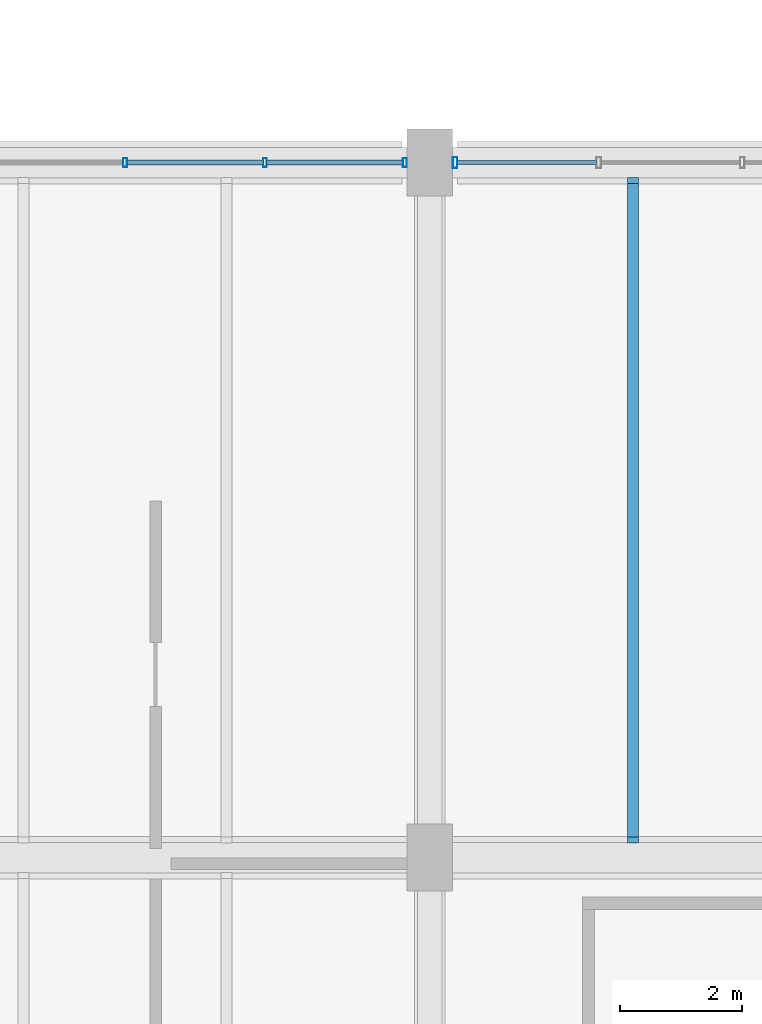
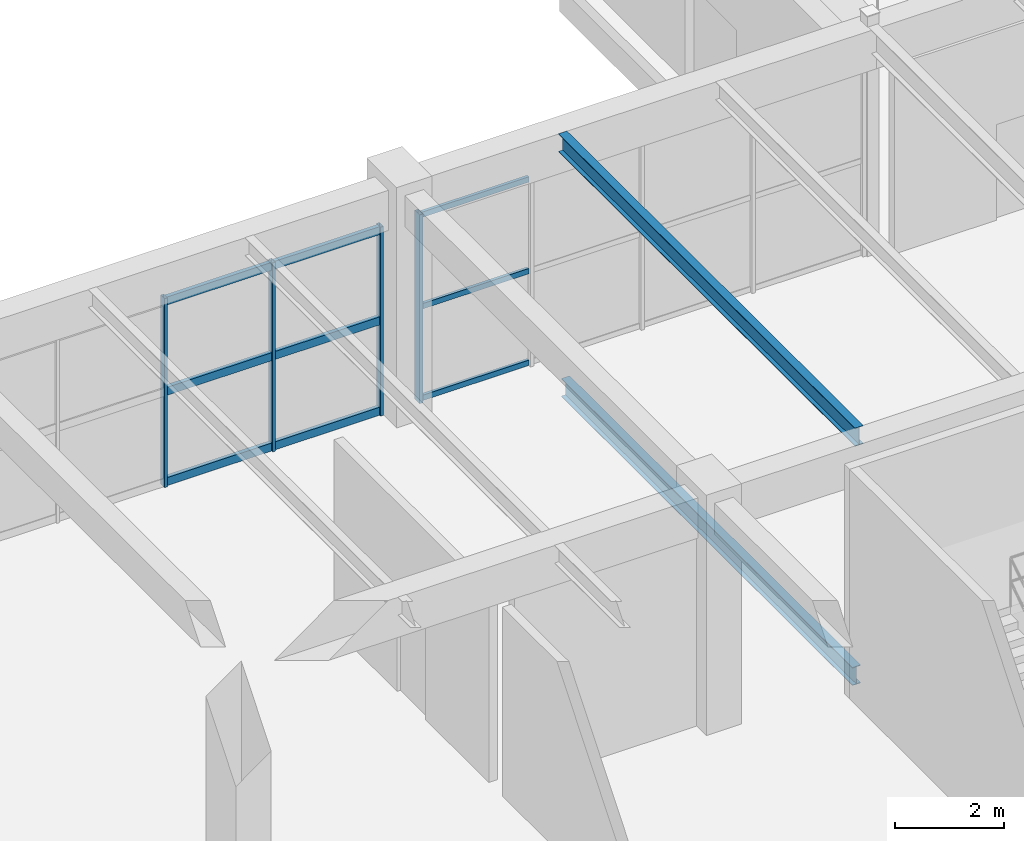
# One storey, part 41 of 113: 13 members, 2 beams, 2 elements without a shape of their own.
"""IFC4 building model written with IfcOpenShell, lengths in metres."""

from ifc_helpers import new_model, si_unit, direction, frame, origin, origin_2d, place, context, subcontext, project, spatial, hollow_rectangle, i_section, extrude, material, layer, layer_set, material_profile, profile_set, type_object, element, aggregate, save


model = new_model("IFC4")

# Units and contexts
model_context = context("Model", 3, precision=1e-05, world=origin(), true_north=direction((0.0, 1.0)))
body_context = subcontext(model_context, "Body", "Model", "MODEL_VIEW")
ifc_project = project(units=[si_unit("LENGTHUNIT", "METRE"), si_unit("AREAUNIT", "SQUARE_METRE"), si_unit("VOLUMEUNIT", "CUBIC_METRE"), si_unit("PLANEANGLEUNIT", "RADIAN"), si_unit("MASSUNIT", "GRAM", prefix="KILO"), si_unit("POWERUNIT", "WATT"), si_unit("THERMODYNAMICTEMPERATUREUNIT", "KELVIN")], contexts=[model_context])

# Site, building, storey
site_placement = place(None, origin())
site = spatial("IfcSite", under=ifc_project, at=site_placement, CompositionType="ELEMENT")
building_placement = place(site_placement, origin())
building = spatial("IfcBuilding", under=site, at=building_placement, Name="Kelmbourne Parkland Aquatics Centre", CompositionType="ELEMENT")
storey_placement = place(building_placement, origin())
storey = spatial("IfcBuildingStorey", under=building, at=storey_placement, Name="L00", CompositionType="ELEMENT", Elevation=0.0)

# Beams
ifc_material_1 = material(Name="Structural steel AS/NZS 3679.1 Grade 300", Category="steel")
ifc_material_profile_1 = material_profile(ifc_material_1, i_section(OverallWidth=0.177978515625, OverallDepth=0.406005859375, WebThickness=0.0078125, FlangeThickness=0.0126953125, at=origin_2d()), Name="410UB59.7")
ifc_profile_set_1 = profile_set([ifc_material_profile_1], Name="Structural steel AS/NZS 3679.1 Grade 300")
beam_type = type_object("IfcBeamType", Name="BM-J01", PredefinedType="JOIST", material=ifc_profile_set_1)
beam_1_placement = place(storey_placement, frame((89.333251953125, 12.5419921875, -0.48291015625), z_axis=(0.0, 1.0, 0.0), x_axis=(-1.0, 0.0, 0.0)))
element("IfcBeam", 1, at=beam_1_placement, inside=storey, type_object=beam_type, Name="Secondary floor joist K-L/03-04 #1 (L00)", PredefinedType="JOIST", context=body_context, shape_type="SweptSolid", body=[
    extrude(i_section(OverallWidth=0.177978515625, OverallDepth=0.406005859375, WebThickness=0.0078125, FlangeThickness=0.0126953125, at=origin_2d()), origin(), (0.0, 0.0, 1.0), 10.716064453125),
])
beam_2_placement = place(storey_placement, frame((89.333251953125, 12.44189453125, 4.95703125), z_axis=(0.0, 1.0, 0.0), x_axis=(-1.0, 0.0, 0.0)))
element("IfcBeam", 2, at=beam_2_placement, inside=storey, type_object=beam_type, Name="Secondary floor joist K-L/03-04 #1 (L01)", PredefinedType="JOIST", context=body_context, shape_type="SweptSolid", body=[
    extrude(i_section(OverallWidth=0.177978515625, OverallDepth=0.406005859375, WebThickness=0.0078125, FlangeThickness=0.0126953125, at=origin_2d()), origin(), (0.0, 0.0, 1.0), 10.916015625),
])

# Curtain wall, members
ifc_material_2 = material(Name="Thermally broken anodised aluminium framing", Category="aluminium")
ifc_layer_1 = layer(ifc_material_2, 0.179931640625)
ifc_layer_set_1 = layer_set([ifc_layer_1], Name="Thermally broken anodised aluminium framing")
curtain_wall_type_1 = type_object("IfcCurtainWallType", Name="CW-02", PredefinedType="NOTDEFINED", material=ifc_layer_set_1)
curtain_wall_1_placement = place(storey_placement, origin())
curtain_wall_1 = element("IfcCurtainWall", 3, at=curtain_wall_1_placement, inside=storey, type_object=curtain_wall_type_1, Name="Facade curtain wall CW-L00-170", PredefinedType="NOTDEFINED")
ifc_material_profile_2 = material_profile(ifc_material_2, hollow_rectangle(XDim=0.06494140625, YDim=0.14990234375, WallThickness=0.00390625, at=origin_2d()), Name="CW-M 65x150")
ifc_profile_set_2 = profile_set([ifc_material_profile_2], Name="Thermally broken anodised aluminium framing")
member_type_1 = type_object("IfcMemberType", Name="MB-MUL-1", PredefinedType="MULLION", material=ifc_profile_set_2)
member_1_placement = place(storey_placement, frame((81.0, 23.60009765625, 0.0), z_axis=(0.0, 0.0, 1.0), x_axis=(1.0, 0.0, 0.0)))
member_1 = element("IfcMember", 4, at=member_1_placement, type_object=member_type_1, Name="CW-L00-170 mullion 2", PredefinedType="MULLION", context=body_context, shape_type="SweptSolid", body=[
    extrude(hollow_rectangle(XDim=0.06494140625, YDim=0.14990234375, WallThickness=0.00390625, at=origin_2d()), origin(), (0.0, 0.0, 1.0), 4.2451171875),
])
member_2_placement = place(storey_placement, frame((83.29541015625, 23.60009765625, 0.0), z_axis=(0.0, 0.0, 1.0), x_axis=(1.0, 0.0, 0.0)))
member_2 = element("IfcMember", 5, at=member_2_placement, type_object=member_type_1, Name="CW-L00-170 mullion 3", PredefinedType="MULLION", context=body_context, shape_type="SweptSolid", body=[
    extrude(hollow_rectangle(XDim=0.06494140625, YDim=0.14990234375, WallThickness=0.00390625, at=origin_2d()), origin(), (0.0, 0.0, 1.0), 4.2451171875),
])
member_3_placement = place(storey_placement, frame((85.590576171875, 23.60009765625, 0.0), z_axis=(0.0, 0.0, 1.0), x_axis=(1.0, 0.0, 0.0)))
member_3 = element("IfcMember", 6, at=member_3_placement, type_object=member_type_1, Name="CW-L00-170 mullion 4", PredefinedType="MULLION", context=body_context, shape_type="SweptSolid", body=[
    extrude(hollow_rectangle(XDim=0.06494140625, YDim=0.14990234375, WallThickness=0.00390625, at=origin_2d()), origin(), (0.0, 0.0, 1.0), 4.2451171875),
])

ifc_layer_2 = layer(ifc_material_2, 0.179931640625)
ifc_layer_set_2 = layer_set([ifc_layer_2], Name="Thermally broken anodised aluminium framing")
curtain_wall_type_2 = type_object("IfcCurtainWallType", Name="CW-03", PredefinedType="NOTDEFINED", material=ifc_layer_set_2)
curtain_wall_2_placement = place(storey_placement, origin())
curtain_wall_2 = element("IfcCurtainWall", 7, at=curtain_wall_2_placement, inside=storey, type_object=curtain_wall_type_2, Name="Facade curtain wall CW-L00-171", PredefinedType="NOTDEFINED")
ifc_material_profile_3 = material_profile(ifc_material_2, hollow_rectangle(XDim=0.074951171875, YDim=0.179931640625, WallThickness=0.00439453125, at=origin_2d()), Name="CW-M 75x180")
ifc_profile_set_3 = profile_set([ifc_material_profile_3], Name="Thermally broken anodised aluminium framing")
member_type_2 = type_object("IfcMemberType", Name="MB-MUL-2", PredefinedType="MULLION", material=ifc_profile_set_3)
member_4_placement = place(storey_placement, frame((86.41455078125, 23.60009765625, 0.0), z_axis=(0.0, 0.0, 1.0), x_axis=(1.0, 0.0, 0.0)))
member_4 = element("IfcMember", 8, at=member_4_placement, type_object=member_type_2, Name="CW-L00-171 mullion 0", PredefinedType="MULLION", context=body_context, shape_type="SweptSolid", body=[
    extrude(hollow_rectangle(XDim=0.074951171875, YDim=0.179931640625, WallThickness=0.00439453125, at=origin_2d()), origin(), (0.0, 0.0, 1.0), 4.2451171875),
])
ifc_material_profile_4 = material_profile(ifc_material_2, hollow_rectangle(XDim=0.06494140625, YDim=0.1201171875, WallThickness=0.00341796875, at=origin_2d()), Name="CW-T 65x120")
ifc_profile_set_4 = profile_set([ifc_material_profile_4], Name="Thermally broken anodised aluminium framing")
member_type_3 = type_object("IfcMemberType", Name="MB-TRN-1", PredefinedType="USERDEFINED", material=ifc_profile_set_4)
member_5_placement = place(storey_placement, frame((86.447998046875, 23.60009765625, 0.06298828125), z_axis=(1.0, 0.0, 0.0), x_axis=(0.0, 1.0, 0.0)))
member_5 = element("IfcMember", 9, at=member_5_placement, type_object=member_type_3, Name="CW-L00-171 transom 0-0", ObjectType="TRANSOM", PredefinedType="USERDEFINED", context=body_context, shape_type="SweptSolid", body=[
    extrude(hollow_rectangle(XDim=0.06494140625, YDim=0.1201171875, WallThickness=0.00341796875, at=origin_2d()), origin(), (0.0, 0.0, 1.0), 2.288330078125),
])
member_6_placement = place(storey_placement, frame((86.447998046875, 23.60009765625, 2.12255859375), z_axis=(1.0, 0.0, 0.0), x_axis=(0.0, 1.0, 0.0)))
member_6 = element("IfcMember", 10, at=member_6_placement, type_object=member_type_3, Name="CW-L00-171 transom 1-0", ObjectType="TRANSOM", PredefinedType="USERDEFINED", context=body_context, shape_type="SweptSolid", body=[
    extrude(hollow_rectangle(XDim=0.06494140625, YDim=0.1201171875, WallThickness=0.00341796875, at=origin_2d()), origin(), (0.0, 0.0, 1.0), 2.288330078125),
])
member_7_placement = place(storey_placement, frame((86.447998046875, 23.60009765625, 4.181884765625), z_axis=(1.0, 0.0, 0.0), x_axis=(0.0, 1.0, 0.0)))
member_7 = element("IfcMember", 11, at=member_7_placement, type_object=member_type_3, Name="CW-L00-171 transom 2-0", ObjectType="TRANSOM", PredefinedType="USERDEFINED", context=body_context, shape_type="SweptSolid", body=[
    extrude(hollow_rectangle(XDim=0.06494140625, YDim=0.1201171875, WallThickness=0.00341796875, at=origin_2d()), origin(), (0.0, 0.0, 1.0), 2.288330078125),
])
aggregate(curtain_wall_2, [member_4, member_5, member_6, member_7])

# Member
ifc_material_profile_5 = material_profile(ifc_material_2, hollow_rectangle(XDim=0.0849609375, YDim=0.179931640625, WallThickness=0.00439453125, at=origin_2d()), Name="CW-T 85x180")
ifc_profile_set_5 = profile_set([ifc_material_profile_5], Name="Thermally broken anodised aluminium framing")
member_type_4 = type_object("IfcMemberType", Name="MB-TRN-3", PredefinedType="USERDEFINED", material=ifc_profile_set_5)
member_8_placement = place(storey_placement, frame((81.028564453125, 23.60009765625, 0.093017578125), z_axis=(1.0, 0.0, 0.0), x_axis=(0.0, 1.0, 0.0)))
member_8 = element("IfcMember", 12, at=member_8_placement, type_object=member_type_4, Name="CW-L00-170 transom 0-2", ObjectType="TRANSOM", PredefinedType="USERDEFINED", context=body_context, shape_type="SweptSolid", body=[
    extrude(hollow_rectangle(XDim=0.0849609375, YDim=0.179931640625, WallThickness=0.00439453125, at=origin_2d()), origin(), (0.0, 0.0, 1.0), 2.23828125),
])

member_9_placement = place(storey_placement, frame((83.32373046875, 23.60009765625, 0.093017578125), z_axis=(1.0, 0.0, 0.0), x_axis=(0.0, 1.0, 0.0)))
member_9 = element("IfcMember", 13, at=member_9_placement, type_object=member_type_4, Name="CW-L00-170 transom 0-3", ObjectType="TRANSOM", PredefinedType="USERDEFINED", context=body_context, shape_type="SweptSolid", body=[
    extrude(hollow_rectangle(XDim=0.0849609375, YDim=0.179931640625, WallThickness=0.00439453125, at=origin_2d()), origin(), (0.0, 0.0, 1.0), 2.23828125),
])

member_10_placement = place(storey_placement, frame((81.028564453125, 23.60009765625, 2.12255859375), z_axis=(1.0, 0.0, 0.0), x_axis=(0.0, 1.0, 0.0)))
member_10 = element("IfcMember", 14, at=member_10_placement, type_object=member_type_4, Name="CW-L00-170 transom 1-2", ObjectType="TRANSOM", PredefinedType="USERDEFINED", context=body_context, shape_type="SweptSolid", body=[
    extrude(hollow_rectangle(XDim=0.0849609375, YDim=0.179931640625, WallThickness=0.00439453125, at=origin_2d()), origin(), (0.0, 0.0, 1.0), 2.23828125),
])

member_11_placement = place(storey_placement, frame((83.32373046875, 23.60009765625, 2.12255859375), z_axis=(1.0, 0.0, 0.0), x_axis=(0.0, 1.0, 0.0)))
member_11 = element("IfcMember", 15, at=member_11_placement, type_object=member_type_4, Name="CW-L00-170 transom 1-3", ObjectType="TRANSOM", PredefinedType="USERDEFINED", context=body_context, shape_type="SweptSolid", body=[
    extrude(hollow_rectangle(XDim=0.0849609375, YDim=0.179931640625, WallThickness=0.00439453125, at=origin_2d()), origin(), (0.0, 0.0, 1.0), 2.23828125),
])

member_12_placement = place(storey_placement, frame((81.028564453125, 23.60009765625, 4.152099609375), z_axis=(1.0, 0.0, 0.0), x_axis=(0.0, 1.0, 0.0)))
member_12 = element("IfcMember", 16, at=member_12_placement, type_object=member_type_4, Name="CW-L00-170 transom 2-2", ObjectType="TRANSOM", PredefinedType="USERDEFINED", context=body_context, shape_type="SweptSolid", body=[
    extrude(hollow_rectangle(XDim=0.0849609375, YDim=0.179931640625, WallThickness=0.00439453125, at=origin_2d()), origin(), (0.0, 0.0, 1.0), 2.23828125),
])

member_13_placement = place(storey_placement, frame((83.32373046875, 23.60009765625, 4.152099609375), z_axis=(1.0, 0.0, 0.0), x_axis=(0.0, 1.0, 0.0)))
member_13 = element("IfcMember", 17, at=member_13_placement, type_object=member_type_4, Name="CW-L00-170 transom 2-3", ObjectType="TRANSOM", PredefinedType="USERDEFINED", context=body_context, shape_type="SweptSolid", body=[
    extrude(hollow_rectangle(XDim=0.0849609375, YDim=0.179931640625, WallThickness=0.00439453125, at=origin_2d()), origin(), (0.0, 0.0, 1.0), 2.23828125),
])

aggregate(curtain_wall_1, [member_1, member_2, member_3, member_8, member_9, member_10, member_11, member_12, member_13])

save(model, "model.ifc")
